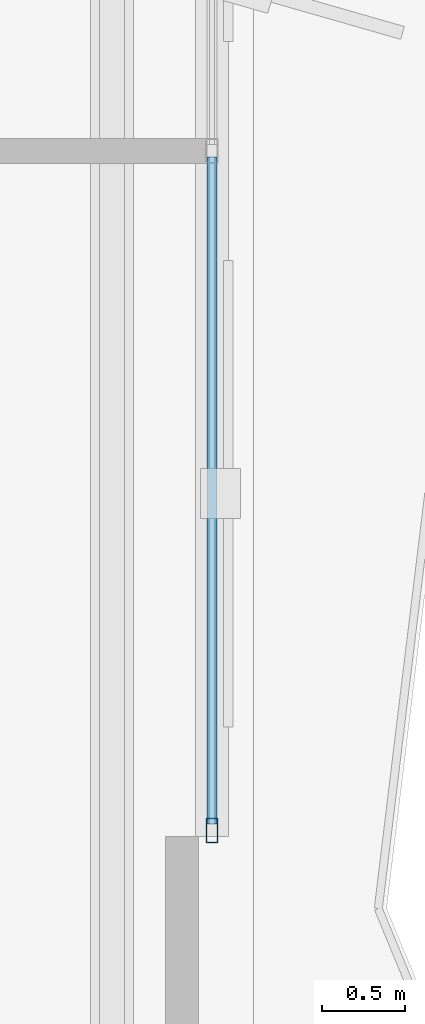
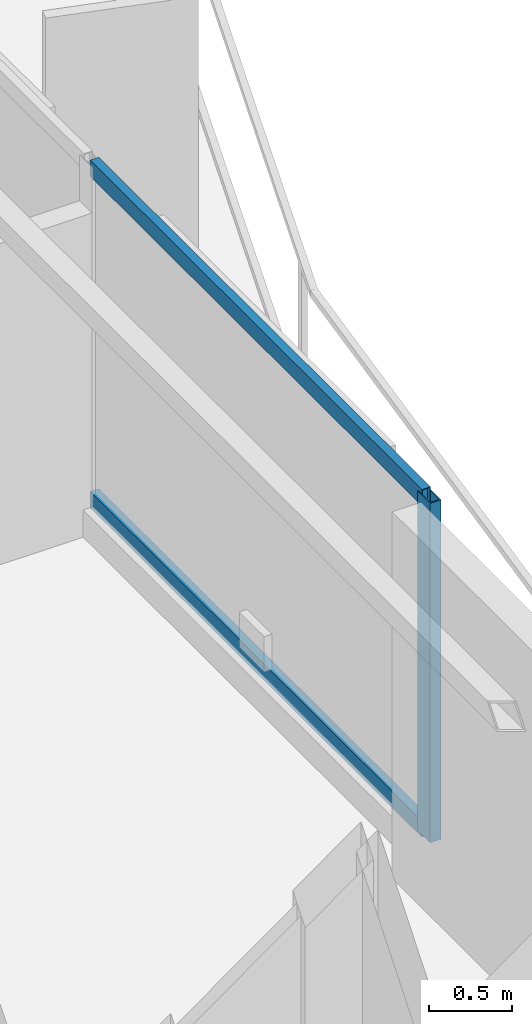
# One storey, part 7 of 18: 3 members, 1 element without a shape of its own.
"""IFC4 building model written with IfcOpenShell, lengths in metres."""

from ifc_helpers import new_model, si_unit, direction, frame, origin, origin_2d, place, context, subcontext, project, spatial, hollow_rectangle, extrude, material, layer, layer_set, material_profile, profile_set, type_object, element, aggregate, save


model = new_model("IFC4")

# Units and contexts
model_context = context("Model", 3, precision=1e-05, world=origin(), true_north=direction((0.0, 1.0)))
body_context = subcontext(model_context, "Body", "Model", "MODEL_VIEW")
ifc_project = project(units=[si_unit("LENGTHUNIT", "METRE"), si_unit("AREAUNIT", "SQUARE_METRE"), si_unit("VOLUMEUNIT", "CUBIC_METRE"), si_unit("PLANEANGLEUNIT", "RADIAN"), si_unit("MASSUNIT", "GRAM", prefix="KILO")], contexts=[model_context])

# Site, building, storey
site_placement = place(None, origin())
site = spatial("IfcSite", under=ifc_project, at=site_placement, CompositionType="ELEMENT")
building_placement = place(site_placement, origin())
building = spatial("IfcBuilding", under=site, at=building_placement, Name="Mersakhor Tower and Convention Hall", CompositionType="ELEMENT")
storey_placement = place(building_placement, frame((0.0, 0.0, 239.699951171875)))
storey = spatial("IfcBuildingStorey", under=building, at=storey_placement, Name="L67", CompositionType="ELEMENT", Elevation=239.699951171875)

# Curtain wall, members
ifc_material_1 = material(Name="Dark solar low-E aluminium curtain wall", Category="aluminium")
ifc_layer = layer(ifc_material_1, 0.179931640625)
ifc_layer_set = layer_set([ifc_layer], Name="Dark solar low-E aluminium curtain wall")
curtain_wall_type = type_object("IfcCurtainWallType", Name="CW-SYS-03", PredefinedType="USERDEFINED", material=ifc_layer_set)
curtain_wall_placement = place(storey_placement, origin())
curtain_wall = element("IfcCurtainWall", 1, at=curtain_wall_placement, inside=storey, type_object=curtain_wall_type, Name="L67 Dark-Glass Curtain Wall F2-B2", ObjectType="CURTAIN WALL", PredefinedType="USERDEFINED")
ifc_material_2 = material(Name="Anodised aluminium EN AW-6063 T6", Category="aluminium")
ifc_material_profile_1 = material_profile(ifc_material_2, hollow_rectangle(XDim=0.074951171875, YDim=0.14990234375, WallThickness=0.00634765625, at=origin_2d()), Name="RHS 150x75x6.3")
ifc_profile_set_1 = profile_set([ifc_material_profile_1], Name="Anodised aluminium EN AW-6063 T6")
member_type_1 = type_object("IfcMemberType", Name="CWM-150x75", PredefinedType="MULLION", material=ifc_profile_set_1)
member_1_placement = place(storey_placement, frame((39.742919921875, 22.673583984375, 0.199951171875), z_axis=(0.0, 0.0, 1.0), x_axis=(1.0, 0.0, 0.0)))
member_1 = element("IfcMember", 2, at=member_1_placement, type_object=member_type_1, Name="CW-03 mullion 3", PredefinedType="MULLION", context=body_context, shape_type="SweptSolid", body=[
    extrude(hollow_rectangle(XDim=0.074951171875, YDim=0.14990234375, WallThickness=0.00634765625, at=origin_2d()), origin(), (0.0, 0.0, 1.0), 2.5),
])
ifc_material_3 = material(Name="Anodised aluminium EN AW-6063 T6", Category="aluminium")
ifc_material_profile_2 = material_profile(ifc_material_3, hollow_rectangle(XDim=0.06005859375, YDim=0.1201171875, WallThickness=0.0048828125, at=origin_2d()), Name="RHS 120x60x5")
ifc_profile_set_2 = profile_set([ifc_material_profile_2], Name="Anodised aluminium EN AW-6063 T6")
member_type_2 = type_object("IfcMemberType", Name="CWT-120x60", PredefinedType="USERDEFINED", material=ifc_profile_set_2)
member_2_placement = place(storey_placement, frame((39.742919921875, 26.71240234375, 0.22998046875), z_axis=(0.0, -1.0, 0.0), x_axis=(1.0, 0.0, 0.0)))
member_2 = element("IfcMember", 3, at=member_2_placement, type_object=member_type_2, Name="CW-03 transom 2.1", ObjectType="TRANSOM", PredefinedType="USERDEFINED", context=body_context, shape_type="SweptSolid", body=[
    extrude(hollow_rectangle(XDim=0.06005859375, YDim=0.1201171875, WallThickness=0.0048828125, at=origin_2d()), origin(), (0.0, 0.0, 1.0), 4.001220703125),
])
member_3_placement = place(storey_placement, frame((39.742919921875, 26.71240234375, 2.670166015625), z_axis=(0.0, -1.0, 0.0), x_axis=(1.0, 0.0, 0.0)))
member_3 = element("IfcMember", 4, at=member_3_placement, type_object=member_type_2, Name="CW-03 transom 2.2", ObjectType="TRANSOM", PredefinedType="USERDEFINED", context=body_context, shape_type="SweptSolid", body=[
    extrude(hollow_rectangle(XDim=0.06005859375, YDim=0.1201171875, WallThickness=0.0048828125, at=origin_2d()), origin(), (0.0, 0.0, 1.0), 4.001220703125),
])
aggregate(curtain_wall, [member_1, member_2, member_3])

save(model, "model.ifc")
